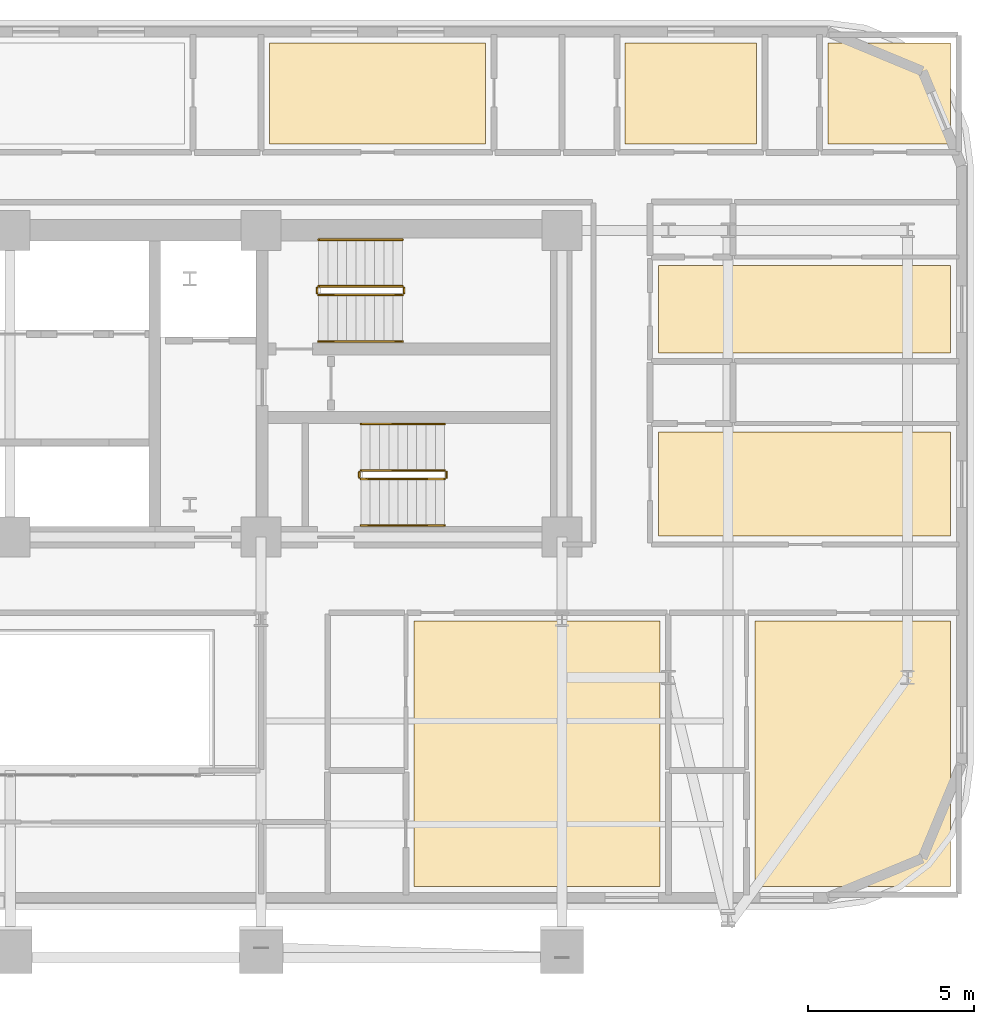
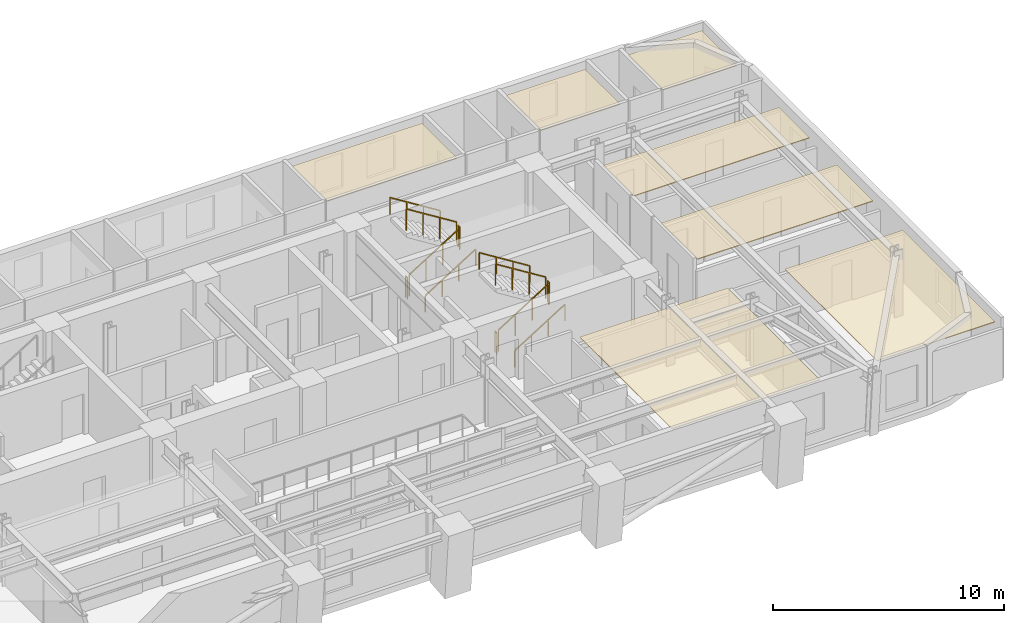
# One storey, part 16 of 16: 12 railings, 7 coverings.
"""IFC4 building model written with IfcOpenShell, lengths in metres."""

from ifc_helpers import new_model, si_unit, direction, frame, origin, origin_2d, place, context, subcontext, project, spatial, polyline, rectangle, outline, extrude, material, layer, layer_set, type_object, element, save


model = new_model("IFC4")

# Units and contexts
model_context = context("Model", 3, precision=1e-05, world=origin(), true_north=direction((0.0, 1.0)))
body_context = subcontext(model_context, "Body", "Model", "MODEL_VIEW")
ifc_project = project(units=[si_unit("LENGTHUNIT", "METRE"), si_unit("AREAUNIT", "SQUARE_METRE"), si_unit("VOLUMEUNIT", "CUBIC_METRE"), si_unit("PLANEANGLEUNIT", "RADIAN"), si_unit("MASSUNIT", "GRAM", prefix="KILO")], contexts=[model_context])

# Site, building, storey
site_placement = place(None, origin())
site = spatial("IfcSite", under=ifc_project, at=site_placement, CompositionType="ELEMENT")
building_placement = place(site_placement, origin())
building = spatial("IfcBuilding", under=site, at=building_placement, Name="Zarnavel Station Tower", CompositionType="ELEMENT")
storey_placement = place(building_placement, frame((0.0, 0.0, 118.800048828125)))
storey = spatial("IfcBuildingStorey", under=building, at=storey_placement, Name="L32", CompositionType="ELEMENT", Elevation=118.800048828125)

# Coverings
ifc_material_1 = material(Name="Perforated Gypsum and Mineral-Wool Acoustic Ceiling", Category="concrete")
ifc_layer = layer(ifc_material_1, 0.0400390625)
ifc_layer_set = layer_set([ifc_layer], Name="COV_CEIL_ACOUSTIC")
covering_type = type_object("IfcCoveringType", Name="COV_CEIL_ACOUSTIC", PredefinedType="CEILING", material=ifc_layer_set)
covering_1_placement = place(storey_placement, frame((0.0, 0.0, 2.919921875)))
element("IfcCovering", 1, at=covering_1_placement, inside=storey, type_object=covering_type, Name="L32 FNE1R Acoustic Ceiling", PredefinedType="CEILING", context=body_context, shape_type="SweptSolid", body=[
    extrude(outline(polyline([(48.300048828125, 27.85009765625), (57.090087890625, 27.85009765625), (57.090087890625, 30.986083984375), (48.300048828125, 30.986083984375), (48.300048828125, 27.85009765625)])), origin(), (0.0, 0.0, 1.0), 0.0400390625),
])
covering_2_placement = place(storey_placement, frame((0.0, 0.0, 2.919921875)))
element("IfcCovering", 2, at=covering_2_placement, inside=storey, type_object=covering_type, Name="L32 FNE2R Acoustic Ceiling", PredefinedType="CEILING", context=body_context, shape_type="SweptSolid", body=[
    extrude(outline(polyline([(48.300048828125, 33.35888671875), (57.090087890625, 33.35888671875), (57.090087890625, 36.0), (48.300048828125, 36.0), (48.300048828125, 33.35888671875)])), origin(), (0.0, 0.0, 1.0), 0.0400390625),
])
covering_3_placement = place(storey_placement, frame((0.0, 0.0, 2.919921875)))
element("IfcCovering", 3, at=covering_3_placement, inside=storey, type_object=covering_type, Name="L32 HN4R Acoustic Ceiling", PredefinedType="CEILING", context=body_context, shape_type="SweptSolid", body=[
    extrude(outline(polyline([(36.60009765625, 39.64990234375), (43.10009765625, 39.64990234375), (43.10009765625, 42.68994140625), (36.60009765625, 42.68994140625), (36.60009765625, 39.64990234375)])), origin(), (0.0, 0.0, 1.0), 0.0400390625),
])
covering_4_placement = place(storey_placement, frame((0.0, 0.0, 2.919921875)))
element("IfcCovering", 4, at=covering_4_placement, inside=storey, type_object=covering_type, Name="L32 HN5R Acoustic Ceiling", PredefinedType="CEILING", context=body_context, shape_type="SweptSolid", body=[
    extrude(outline(polyline([(47.300048828125, 39.64990234375), (51.25390625, 39.64990234375), (51.25390625, 42.68994140625), (47.300048828125, 42.68994140625), (47.300048828125, 39.64990234375)])), origin(), (0.0, 0.0, 1.0), 0.0400390625),
])
covering_5_placement = place(storey_placement, frame((0.0, 0.0, 2.919921875)))
element("IfcCovering", 5, at=covering_5_placement, inside=storey, type_object=covering_type, Name="L32 HN6R Acoustic Ceiling", PredefinedType="CEILING", context=body_context, shape_type="SweptSolid", body=[
    extrude(outline(polyline([(53.404052734375, 39.64990234375), (57.090087890625, 39.64990234375), (57.090087890625, 42.68994140625), (53.404052734375, 42.68994140625), (53.404052734375, 39.64990234375)])), origin(), (0.0, 0.0, 1.0), 0.0400390625),
])
covering_6_placement = place(storey_placement, frame((0.0, 0.0, 2.919921875)))
element("IfcCovering", 6, at=covering_6_placement, inside=storey, type_object=covering_type, Name="L32 HE1R Acoustic Ceiling", PredefinedType="CEILING", context=body_context, shape_type="SweptSolid", body=[
    extrude(outline(polyline([(40.949951171875, 17.31005859375), (48.35009765625, 17.31005859375), (48.35009765625, 25.300048828125), (40.949951171875, 25.300048828125), (40.949951171875, 17.31005859375)])), origin(), (0.0, 0.0, 1.0), 0.0400390625),
])
covering_7_placement = place(storey_placement, frame((0.0, 0.0, 2.919921875)))
element("IfcCovering", 7, at=covering_7_placement, inside=storey, type_object=covering_type, Name="L32 HE2R Acoustic Ceiling", PredefinedType="CEILING", context=body_context, shape_type="SweptSolid", body=[
    extrude(outline(polyline([(51.199951171875, 17.31005859375), (57.090087890625, 17.31005859375), (57.090087890625, 25.300048828125), (51.199951171875, 25.300048828125), (51.199951171875, 17.31005859375)])), origin(), (0.0, 0.0, 1.0), 0.0400390625),
])

# Railings
ifc_material_2 = material(Name="Painted Steel S355J2 Balustrade", Category="steel")
railing_type_1 = type_object("IfcRailingType", Name="GR_INT_1150", PredefinedType="GUARDRAIL", material=ifc_material_2)
railing_1_placement = place(storey_placement, frame((38.080078125, 35.110107421875, 0.175048828125)))
element("IfcRailing", 8, at=railing_1_placement, inside=storey, type_object=railing_type_1, Name="L32 ST2 stair guard 1", PredefinedType="GUARDRAIL", context=body_context, shape_type="SweptSolid", body=[
    extrude(rectangle(XDim=0.048095703125, YDim=0.048095703125, at=origin_2d()), frame((0.001708984375, 0.0, 1.126953125), z_axis=(0.848007534815, 0.0, 0.529984170421), x_axis=(0.0, 1.0, 0.0)), (0.0, 0.0, 1.0), 2.9677734375),
    extrude(rectangle(XDim=0.0419921875, YDim=0.0419921875, at=origin_2d()), origin(), (0.0, 0.0, 1.0), 1.101806640625),
    extrude(rectangle(XDim=0.0419921875, YDim=0.0419921875, at=origin_2d()), frame((0.840087890625, 0.0, 0.52490234375)), (0.0, 0.0, 1.0), 1.101806640625),
    extrude(rectangle(XDim=0.0419921875, YDim=0.0419921875, at=origin_2d()), frame((1.679931640625, 0.0, 1.050048828125)), (0.0, 0.0, 1.0), 1.101806640625),
    extrude(rectangle(XDim=0.0419921875, YDim=0.0419921875, at=origin_2d()), frame((2.52001953125, 0.0, 1.574951171875)), (0.0, 0.0, 1.0), 1.101806640625),
])
railing_2_placement = place(storey_placement, frame((40.64990234375, 35.159912109375, 1.75)))
element("IfcRailing", 9, at=railing_2_placement, inside=storey, type_object=railing_type_1, Name="L32 ST2 stair guard 2", PredefinedType="GUARDRAIL", context=body_context, shape_type="SweptSolid", body=[
    extrude(rectangle(XDim=0.048095703125, YDim=0.048095703125, at=origin_2d()), frame((0.0, 0.001953125, 1.1259765625), z_axis=(0.0, 1.0, 0.0), x_axis=(-1.0, 0.0, 0.0)), (0.0, 0.0, 1.0), 0.15625),
    extrude(rectangle(XDim=0.0419921875, YDim=0.0419921875, at=origin_2d()), origin(), (0.0, 0.0, 1.0), 1.101806640625),
    extrude(rectangle(XDim=0.0419921875, YDim=0.0419921875, at=origin_2d()), frame((0.0, 0.16015625, 0.0)), (0.0, 0.0, 1.0), 1.101806640625),
])
railing_3_placement = place(storey_placement, frame((40.60009765625, 35.3701171875, 1.925048828125)))
element("IfcRailing", 10, at=railing_3_placement, inside=storey, type_object=railing_type_1, Name="L32 ST2 stair guard 3", PredefinedType="GUARDRAIL", context=body_context, shape_type="SweptSolid", body=[
    extrude(rectangle(XDim=0.048095703125, YDim=0.048095703125, at=origin_2d()), frame((-0.001708984375, 0.0, 1.126953125), z_axis=(-0.848007534815, 0.0, 0.529984170421), x_axis=(0.0, -1.0, 0.0)), (0.0, 0.0, 1.0), 2.9677734375),
    extrude(rectangle(XDim=0.0419921875, YDim=0.0419921875, at=origin_2d()), origin(), (0.0, 0.0, 1.0), 1.101806640625),
    extrude(rectangle(XDim=0.0419921875, YDim=0.0419921875, at=origin_2d()), frame((-0.840087890625, 0.0, 0.52490234375)), (0.0, 0.0, 1.0), 1.101806640625),
    extrude(rectangle(XDim=0.0419921875, YDim=0.0419921875, at=origin_2d()), frame((-1.679931640625, 0.0, 1.050048828125)), (0.0, 0.0, 1.0), 1.101806640625),
    extrude(rectangle(XDim=0.0419921875, YDim=0.0419921875, at=origin_2d()), frame((-2.52001953125, 0.0, 1.574951171875)), (0.0, 0.0, 1.0), 1.101806640625),
])
railing_4_placement = place(storey_placement, frame((38.030029296875, 35.159912109375, 0.0)))
element("IfcRailing", 11, at=railing_4_placement, inside=storey, type_object=railing_type_1, Name="L32 ST2 stair guard 4", PredefinedType="GUARDRAIL", context=body_context, shape_type="SweptSolid", body=[
    extrude(rectangle(XDim=0.048095703125, YDim=0.048095703125, at=origin_2d()), frame((0.0, 0.001953125, 1.1259765625), z_axis=(0.0, 1.0, 0.0), x_axis=(-1.0, 0.0, 0.0)), (0.0, 0.0, 1.0), 0.15625),
    extrude(rectangle(XDim=0.0419921875, YDim=0.0419921875, at=origin_2d()), origin(), (0.0, 0.0, 1.0), 1.101806640625),
    extrude(rectangle(XDim=0.0419921875, YDim=0.0419921875, at=origin_2d()), frame((0.0, 0.16015625, 0.0)), (0.0, 0.0, 1.0), 1.101806640625),
])
railing_5_placement = place(storey_placement, frame((39.35009765625, 29.570068359375, 0.175048828125)))
element("IfcRailing", 12, at=railing_5_placement, inside=storey, type_object=railing_type_1, Name="L32 ST3 stair guard 1", PredefinedType="GUARDRAIL", context=body_context, shape_type="SweptSolid", body=[
    extrude(rectangle(XDim=0.048095703125, YDim=0.048095703125, at=origin_2d()), frame((0.001708984375, 0.0, 1.126953125), z_axis=(0.848007534815, 0.0, 0.529984170421), x_axis=(0.0, 1.0, 0.0)), (0.0, 0.0, 1.0), 2.9677734375),
    extrude(rectangle(XDim=0.0419921875, YDim=0.0419921875, at=origin_2d()), origin(), (0.0, 0.0, 1.0), 1.101806640625),
    extrude(rectangle(XDim=0.0419921875, YDim=0.0419921875, at=origin_2d()), frame((0.840087890625, 0.0, 0.52490234375)), (0.0, 0.0, 1.0), 1.101806640625),
    extrude(rectangle(XDim=0.0419921875, YDim=0.0419921875, at=origin_2d()), frame((1.679931640625, 0.0, 1.050048828125)), (0.0, 0.0, 1.0), 1.101806640625),
    extrude(rectangle(XDim=0.0419921875, YDim=0.0419921875, at=origin_2d()), frame((2.52001953125, 0.0, 1.574951171875)), (0.0, 0.0, 1.0), 1.101806640625),
])
railing_6_placement = place(storey_placement, frame((41.919921875, 29.6201171875, 1.75)))
element("IfcRailing", 13, at=railing_6_placement, inside=storey, type_object=railing_type_1, Name="L32 ST3 stair guard 2", PredefinedType="GUARDRAIL", context=body_context, shape_type="SweptSolid", body=[
    extrude(rectangle(XDim=0.048095703125, YDim=0.048095703125, at=origin_2d()), frame((0.0, 0.001953125, 1.1259765625), z_axis=(0.0, 1.0, 0.0), x_axis=(-1.0, 0.0, 0.0)), (0.0, 0.0, 1.0), 0.156005859375),
    extrude(rectangle(XDim=0.0419921875, YDim=0.0419921875, at=origin_2d()), origin(), (0.0, 0.0, 1.0), 1.101806640625),
    extrude(rectangle(XDim=0.0419921875, YDim=0.0419921875, at=origin_2d()), frame((0.0, 0.159912109375, 0.0)), (0.0, 0.0, 1.0), 1.101806640625),
])
railing_7_placement = place(storey_placement, frame((41.8701171875, 29.830078125, 1.925048828125)))
element("IfcRailing", 14, at=railing_7_placement, inside=storey, type_object=railing_type_1, Name="L32 ST3 stair guard 3", PredefinedType="GUARDRAIL", context=body_context, shape_type="SweptSolid", body=[
    extrude(rectangle(XDim=0.048095703125, YDim=0.048095703125, at=origin_2d()), frame((-0.001708984375, 0.0, 1.126953125), z_axis=(-0.848007534815, 0.0, 0.529984170421), x_axis=(0.0, -1.0, 0.0)), (0.0, 0.0, 1.0), 2.9677734375),
    extrude(rectangle(XDim=0.0419921875, YDim=0.0419921875, at=origin_2d()), origin(), (0.0, 0.0, 1.0), 1.101806640625),
    extrude(rectangle(XDim=0.0419921875, YDim=0.0419921875, at=origin_2d()), frame((-0.840087890625, 0.0, 0.52490234375)), (0.0, 0.0, 1.0), 1.101806640625),
    extrude(rectangle(XDim=0.0419921875, YDim=0.0419921875, at=origin_2d()), frame((-1.679931640625, 0.0, 1.050048828125)), (0.0, 0.0, 1.0), 1.101806640625),
    extrude(rectangle(XDim=0.0419921875, YDim=0.0419921875, at=origin_2d()), frame((-2.52001953125, 0.0, 1.574951171875)), (0.0, 0.0, 1.0), 1.101806640625),
])
railing_8_placement = place(storey_placement, frame((39.300048828125, 29.6201171875, 0.0)))
element("IfcRailing", 15, at=railing_8_placement, inside=storey, type_object=railing_type_1, Name="L32 ST3 stair guard 4", PredefinedType="GUARDRAIL", context=body_context, shape_type="SweptSolid", body=[
    extrude(rectangle(XDim=0.048095703125, YDim=0.048095703125, at=origin_2d()), frame((0.0, 0.001953125, 1.1259765625), z_axis=(0.0, 1.0, 0.0), x_axis=(-1.0, 0.0, 0.0)), (0.0, 0.0, 1.0), 0.156005859375),
    extrude(rectangle(XDim=0.0419921875, YDim=0.0419921875, at=origin_2d()), origin(), (0.0, 0.0, 1.0), 1.101806640625),
    extrude(rectangle(XDim=0.0419921875, YDim=0.0419921875, at=origin_2d()), frame((0.0, 0.159912109375, 0.0)), (0.0, 0.0, 1.0), 1.101806640625),
])
ifc_material_3 = material(Name="Brushed Stainless Steel S355J2 Handrail", Category="steel")
railing_type_2 = type_object("IfcRailingType", Name="HR_STAIR_900", PredefinedType="HANDRAIL", material=ifc_material_3)
railing_9_placement = place(storey_placement, frame((38.080078125, 33.7099609375, 0.175048828125)))
element("IfcRailing", 16, at=railing_9_placement, inside=storey, type_object=railing_type_2, Name="L32 ST2 stair handrail 1", PredefinedType="HANDRAIL", context=body_context, shape_type="SweptSolid", body=[
    extrude(rectangle(XDim=0.048095703125, YDim=0.048095703125, at=origin_2d()), frame((0.001708984375, 0.0, 0.876953125), z_axis=(0.848007534815, 0.0, 0.529984170421), x_axis=(0.0, 1.0, 0.0)), (0.0, 0.0, 1.0), 2.9677734375),
    extrude(rectangle(XDim=0.0419921875, YDim=0.0419921875, at=origin_2d()), origin(), (0.0, 0.0, 1.0), 0.851806640625),
    extrude(rectangle(XDim=0.0419921875, YDim=0.0419921875, at=origin_2d()), frame((0.840087890625, 0.0, 0.52490234375)), (0.0, 0.0, 1.0), 0.851806640625),
    extrude(rectangle(XDim=0.0419921875, YDim=0.0419921875, at=origin_2d()), frame((1.679931640625, 0.0, 1.050048828125)), (0.0, 0.0, 1.0), 0.851806640625),
    extrude(rectangle(XDim=0.0419921875, YDim=0.0419921875, at=origin_2d()), frame((2.52001953125, 0.0, 1.574951171875)), (0.0, 0.0, 1.0), 0.851806640625),
])
railing_10_placement = place(storey_placement, frame((40.60009765625, 36.77001953125, 1.925048828125)))
element("IfcRailing", 17, at=railing_10_placement, inside=storey, type_object=railing_type_2, Name="L32 ST2 stair handrail 2", PredefinedType="HANDRAIL", context=body_context, shape_type="SweptSolid", body=[
    extrude(rectangle(XDim=0.048095703125, YDim=0.048095703125, at=origin_2d()), frame((-0.001708984375, 0.0, 0.876953125), z_axis=(-0.848007534815, 0.0, 0.529984170421), x_axis=(0.0, -1.0, 0.0)), (0.0, 0.0, 1.0), 2.9677734375),
    extrude(rectangle(XDim=0.0419921875, YDim=0.0419921875, at=origin_2d()), origin(), (0.0, 0.0, 1.0), 0.851806640625),
    extrude(rectangle(XDim=0.0419921875, YDim=0.0419921875, at=origin_2d()), frame((-0.840087890625, 0.0, 0.52490234375)), (0.0, 0.0, 1.0), 0.851806640625),
    extrude(rectangle(XDim=0.0419921875, YDim=0.0419921875, at=origin_2d()), frame((-1.679931640625, 0.0, 1.050048828125)), (0.0, 0.0, 1.0), 0.851806640625),
    extrude(rectangle(XDim=0.0419921875, YDim=0.0419921875, at=origin_2d()), frame((-2.52001953125, 0.0, 1.574951171875)), (0.0, 0.0, 1.0), 0.851806640625),
])
railing_11_placement = place(storey_placement, frame((39.35009765625, 28.169921875, 0.175048828125)))
element("IfcRailing", 18, at=railing_11_placement, inside=storey, type_object=railing_type_2, Name="L32 ST3 stair handrail 1", PredefinedType="HANDRAIL", context=body_context, shape_type="SweptSolid", body=[
    extrude(rectangle(XDim=0.048095703125, YDim=0.048095703125, at=origin_2d()), frame((0.001708984375, 0.0, 0.876953125), z_axis=(0.848007534815, 0.0, 0.529984170421), x_axis=(0.0, 1.0, 0.0)), (0.0, 0.0, 1.0), 2.9677734375),
    extrude(rectangle(XDim=0.0419921875, YDim=0.0419921875, at=origin_2d()), origin(), (0.0, 0.0, 1.0), 0.851806640625),
    extrude(rectangle(XDim=0.0419921875, YDim=0.0419921875, at=origin_2d()), frame((0.840087890625, 0.0, 0.52490234375)), (0.0, 0.0, 1.0), 0.851806640625),
    extrude(rectangle(XDim=0.0419921875, YDim=0.0419921875, at=origin_2d()), frame((1.679931640625, 0.0, 1.050048828125)), (0.0, 0.0, 1.0), 0.851806640625),
    extrude(rectangle(XDim=0.0419921875, YDim=0.0419921875, at=origin_2d()), frame((2.52001953125, 0.0, 1.574951171875)), (0.0, 0.0, 1.0), 0.851806640625),
])
railing_12_placement = place(storey_placement, frame((41.8701171875, 31.22998046875, 1.925048828125)))
element("IfcRailing", 19, at=railing_12_placement, inside=storey, type_object=railing_type_2, Name="L32 ST3 stair handrail 2", PredefinedType="HANDRAIL", context=body_context, shape_type="SweptSolid", body=[
    extrude(rectangle(XDim=0.048095703125, YDim=0.048095703125, at=origin_2d()), frame((-0.001708984375, 0.0, 0.876953125), z_axis=(-0.848007534815, 0.0, 0.529984170421), x_axis=(0.0, -1.0, 0.0)), (0.0, 0.0, 1.0), 2.9677734375),
    extrude(rectangle(XDim=0.0419921875, YDim=0.0419921875, at=origin_2d()), origin(), (0.0, 0.0, 1.0), 0.851806640625),
    extrude(rectangle(XDim=0.0419921875, YDim=0.0419921875, at=origin_2d()), frame((-0.840087890625, 0.0, 0.52490234375)), (0.0, 0.0, 1.0), 0.851806640625),
    extrude(rectangle(XDim=0.0419921875, YDim=0.0419921875, at=origin_2d()), frame((-1.679931640625, 0.0, 1.050048828125)), (0.0, 0.0, 1.0), 0.851806640625),
    extrude(rectangle(XDim=0.0419921875, YDim=0.0419921875, at=origin_2d()), frame((-2.52001953125, 0.0, 1.574951171875)), (0.0, 0.0, 1.0), 0.851806640625),
])

save(model, "model.ifc")
